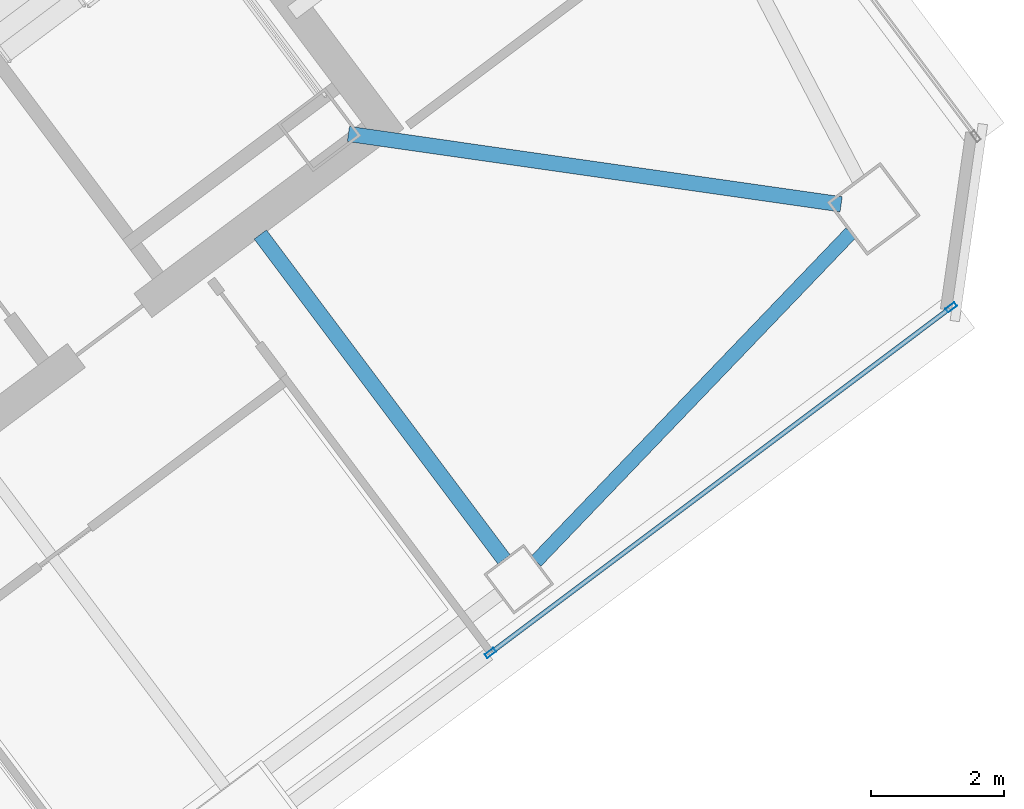
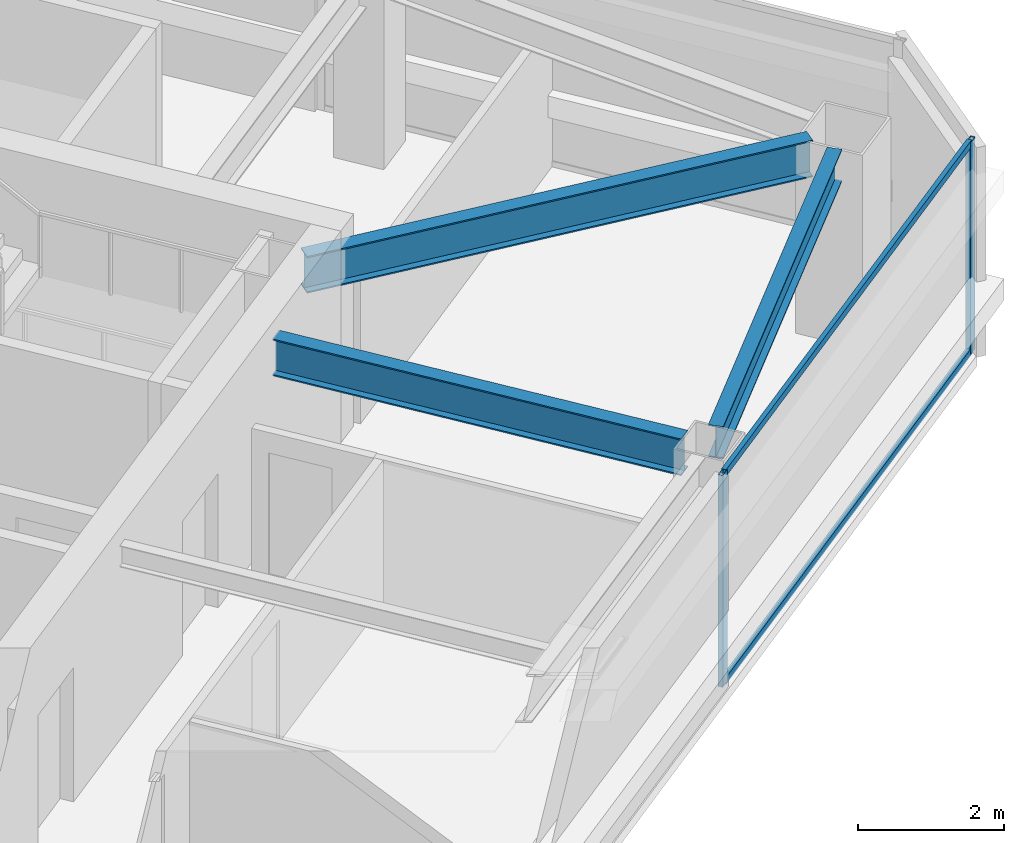
# One storey, part 23 of 39: 4 members, 3 beams, 1 element without a shape of its own.
"""IFC4 building model written with IfcOpenShell, lengths in metres."""

import ifcopenshell
import ifcopenshell.guid

model = None  # the IFC model being written
_history = None  # IfcOwnerHistory: only IFC2X3 demands one
_inside = {}  # id of a spatial element -> (the spatial element, [elements in it])
_under = {}  # id of a project, library or spatial element -> (it, [spatial elements below it])
_declared = {}  # id of a project -> (the project, [libraries it declares])
_typed = {}  # id of a type object -> (the type object, [elements of that type])
_made_of = {}  # id of a material, layer set ... -> (it, [elements and type objects made of it])


def new_model(schema):
    """Start an empty IFC model of exactly this schema.

    Asked for "IFC4X3", IfcOpenShell would pick the latest addendum, in which some entities
    have other attributes; the version numbers below select the first issue.
    IFC2X3 requires an IfcOwnerHistory on every rooted entity: one is made here for all.
    """
    global model, _history
    if schema == "IFC4X3":
        model = ifcopenshell.file(schema_version=(4, 3, 0, 0))
    else:
        model = ifcopenshell.file(schema=schema)
    _inside.clear()
    _under.clear()
    _declared.clear()
    _typed.clear()
    _made_of.clear()
    _history = None
    if model.schema == "IFC2X3":
        org = make("IfcOrganization", Name="unknown")
        user = make(
            "IfcPersonAndOrganization",
            ThePerson=make("IfcPerson", FamilyName="unknown"),
            TheOrganization=org,
        )
        app = make(
            "IfcApplication",
            ApplicationDeveloper=org,
            Version="unknown",
            ApplicationFullName="unknown",
            ApplicationIdentifier="unknown",
        )
        _history = make(
            "IfcOwnerHistory",
            OwningUser=user,
            OwningApplication=app,
            ChangeAction="ADDED",
            CreationDate=0,
        )
    return model


def make(cls, **values):
    """One entity of the class cls with the attributes given. An attribute that is None is left unset."""
    return model.create_entity(
        cls, **{name: value for name, value in values.items() if value is not None}
    )


def rooted(cls, **values):
    """An entity with a GlobalId (a new one), such as an element, a storey or a relation."""
    return make(cls, GlobalId=ifcopenshell.guid.new(), OwnerHistory=_history, **values)


def si_unit(unit_type, name, prefix=None):
    """IfcSIUnit, for example si_unit("LENGTHUNIT", "METRE", prefix="MILLI")."""
    return make("IfcSIUnit", UnitType=unit_type, Prefix=prefix, Name=name)


def assignment(units):
    """IfcUnitAssignment: the units of a project."""
    return None if units is None else make("IfcUnitAssignment", Units=units)


def point(xyz):
    """IfcCartesianPoint."""
    return None if xyz is None else make("IfcCartesianPoint", Coordinates=xyz)


def direction(xyz):
    """IfcDirection."""
    return None if xyz is None else make("IfcDirection", DirectionRatios=xyz)


def frame(location, z_axis=None, x_axis=None):
    """IfcAxis2Placement3D, a coordinate frame: its origin and axes. An axis left out is left unset."""
    return make(
        "IfcAxis2Placement3D",
        Location=point(location),
        Axis=direction(z_axis),
        RefDirection=direction(x_axis),
    )


def frame_2d(location, x_axis=None):
    """IfcAxis2Placement2D, a coordinate frame in the plane: its origin and x axis."""
    return make(
        "IfcAxis2Placement2D", Location=point(location), RefDirection=direction(x_axis)
    )


def origin():
    """The frame at (0, 0, 0) with its axes left unset."""
    return frame((0.0, 0.0, 0.0))


def origin_2d():
    """The frame at (0, 0) in the plane with its x axis left unset."""
    return frame_2d((0.0, 0.0))


def place(relative_to, where):
    """IfcLocalPlacement: puts the frame where relative to a parent placement (None: the world)."""
    return make(
        "IfcLocalPlacement", PlacementRelTo=relative_to, RelativePlacement=where
    )


def context(
    kind, dimensions, precision=None, world=None, true_north=None, identifier=None
):
    """IfcGeometricRepresentationContext, for example the 3D "Model" context."""
    return make(
        "IfcGeometricRepresentationContext",
        ContextIdentifier=identifier,
        ContextType=kind,
        CoordinateSpaceDimension=dimensions,
        Precision=precision,
        WorldCoordinateSystem=world,
        TrueNorth=true_north,
    )


def subcontext(parent, identifier, kind, view, scale=None):
    """IfcGeometricRepresentationSubContext, for example "Body" below "Model"."""
    return make(
        "IfcGeometricRepresentationSubContext",
        ContextIdentifier=identifier,
        ContextType=kind,
        ParentContext=parent,
        TargetScale=scale,
        TargetView=view,
    )


def project(units=None, contexts=None):
    """IfcProject with its units and contexts."""
    return rooted(
        "IfcProject",
        Name="project",
        RepresentationContexts=contexts,
        UnitsInContext=assignment(units),
    )


def spatial(cls, under=None, at=None, **own):
    """A site, building, storey or space (cls), placed at a placement, below another one or the project."""
    s = rooted(cls, ObjectPlacement=at, **own)
    if under is not None:
        _under.setdefault(under.id(), (under, []))[1].append(s)
    return s


def profile(cls, at=None, kind="AREA", **sizes):
    """A parametric profile (cls). Its sizes go by their IFC names, for example OverallWidth=200.0."""
    return make(cls, ProfileType=kind, Position=at, **sizes)


def hollow_rectangle(**sizes):
    """IfcRectangleHollowProfileDef."""
    return profile("IfcRectangleHollowProfileDef", **sizes)


def i_section(**sizes):
    """IfcIShapeProfileDef."""
    return profile("IfcIShapeProfileDef", **sizes)


def extrude(swept, where, along, depth):
    """IfcExtrudedAreaSolid: the profile swept, set in the frame where, extruded along a direction by depth."""
    return make(
        "IfcExtrudedAreaSolid",
        SweptArea=swept,
        Position=where,
        ExtrudedDirection=direction(along),
        Depth=depth,
    )


def shape(context_of_items, identifier, shape_type, items):
    """IfcShapeRepresentation: the items that make up one representation, for example the "Body"."""
    return make(
        "IfcShapeRepresentation",
        ContextOfItems=context_of_items,
        RepresentationIdentifier=identifier,
        RepresentationType=shape_type,
        Items=items,
    )


def material(Name=None, Category=None):
    """IfcMaterial."""
    return make("IfcMaterial", Name=Name, Category=Category)


def material_profile(
    of_material, cross_section, Name=None, Category=None, Priority=None
):
    """IfcMaterialProfile: a cross section and its material."""
    return make(
        "IfcMaterialProfile",
        Name=Name,
        Material=of_material,
        Profile=cross_section,
        Priority=Priority,
        Category=Category,
    )


def profile_set(profiles, Name=None, composite=None):
    """IfcMaterialProfileSet."""
    return make(
        "IfcMaterialProfileSet",
        Name=Name,
        MaterialProfiles=profiles,
        CompositeProfile=composite,
    )


def made_of(thing, what):
    """Note that an element or type object is made of a material, layer set ...; save() writes the relation."""
    if what is not None:
        _made_of.setdefault(what.id(), (what, []))[1].append(thing)
    return thing


def type_object(cls, material=None, **own):
    """A type object (cls), such as IfcWallType, which elements share."""
    return made_of(rooted(cls, **own), material)


def element(
    cls,
    number,
    at=None,
    inside=None,
    cuts=None,
    type_object=None,
    material=None,
    context=None,
    identifier="Body",
    shape_type=None,
    held_by="IfcProductDefinitionShape",
    body=None,
    shapes=None,
    **own,
):
    """One element of the class cls, such as IfcWall. Its Tag is "e" and its number.

    at: its placement. inside: the storey or other place that contains it. cuts: it is an
    opening in that element (IfcRelVoidsElement). A single representation is given by context,
    identifier, shape_type and body (its items); several are given by shapes. held_by: the class
    of the entity that holds the representations. save() writes the other relations.
    """
    e = rooted(cls, Tag="e%d" % number, ObjectPlacement=at, **own)
    if body is not None:
        shapes = [shape(context, identifier, shape_type, body)]
    if shapes is not None:
        e.Representation = make(held_by, Representations=shapes)
    if inside is not None:
        _inside.setdefault(inside.id(), (inside, []))[1].append(e)
    if cuts is not None:
        rooted(
            "IfcRelVoidsElement", RelatingBuildingElement=cuts, RelatedOpeningElement=e
        )
    if type_object is not None:
        _typed.setdefault(type_object.id(), (type_object, []))[1].append(e)
    return made_of(e, material)


def aggregate(whole, parts):
    """IfcRelAggregates: a whole, such as a stair, and the parts it consists of."""
    return rooted("IfcRelAggregates", RelatingObject=whole, RelatedObjects=parts)


def save(model, path):
    """Write the relations noted so far, then the file.

    IfcRelAggregates (storeys below a building ...), IfcRelContainedInSpatialStructure (elements
    in a storey), IfcRelDefinesByType, IfcRelAssociatesMaterial and IfcRelDeclares: one each for
    every whole, place, type object, material and project.
    """
    for whole, parts in _under.values():
        aggregate(whole, parts)
    for where, things in _inside.values():
        rooted(
            "IfcRelContainedInSpatialStructure",
            RelatedElements=things,
            RelatingStructure=where,
        )
    for kind, things in _typed.values():
        rooted("IfcRelDefinesByType", RelatedObjects=things, RelatingType=kind)
    for what, things in _made_of.values():
        rooted("IfcRelAssociatesMaterial", RelatedObjects=things, RelatingMaterial=what)
    for by, libraries in _declared.values():
        rooted("IfcRelDeclares", RelatingContext=by, RelatedDefinitions=libraries)
    model.write(path)


model = new_model("IFC4")

# Units and contexts
model_context = context("Model", 3, precision=1e-05, world=origin(), true_north=direction((0.0, 1.0)))
body_context = subcontext(model_context, "Body", "Model", "MODEL_VIEW")
ifc_project = project(units=[si_unit("LENGTHUNIT", "METRE"), si_unit("AREAUNIT", "SQUARE_METRE"), si_unit("VOLUMEUNIT", "CUBIC_METRE"), si_unit("PLANEANGLEUNIT", "RADIAN"), si_unit("MASSUNIT", "GRAM", prefix="KILO")], contexts=[model_context])

# Site, building, storey
site_placement = place(None, origin())
site = spatial("IfcSite", under=ifc_project, at=site_placement, CompositionType="ELEMENT")
building_placement = place(site_placement, origin())
building = spatial("IfcBuilding", under=site, at=building_placement, Name="Tashvorn Skyway Center", CompositionType="ELEMENT")
storey_placement = place(building_placement, frame((0.0, 0.0, 243.25)))
storey = spatial("IfcBuildingStorey", under=building, at=storey_placement, Name="L66", CompositionType="ELEMENT", Elevation=243.25)

# Beams
ifc_material_1 = material(Name="Steel ASTM A992 Grade 50", Category="steel")
ifc_material_profile_1 = material_profile(ifc_material_1, i_section(OverallWidth=0.22998046875, OverallDepth=0.616943359375, WebThickness=0.01318359375, FlangeThickness=0.022216796875, at=origin_2d()), Name="W24X94")
ifc_profile_set_1 = profile_set([ifc_material_profile_1], Name="Steel ASTM A992 Grade 50")
beam_type_1 = type_object("IfcBeamType", Name="BM-BEAM-W24X94", PredefinedType="BEAM", material=ifc_profile_set_1)
beam_1_placement = place(storey_placement, frame((131.7099609375, 29.469970703125, 2.94140625), z_axis=(-0.989948187102, 0.141430501853, 0.0), x_axis=(-0.141430501853, -0.989948187102, 0.0)))
element("IfcBeam", 1, at=beam_1_placement, inside=storey, type_object=beam_type_1, Name="Tower 2 L66 Primary Floor Girder MC-SE", PredefinedType="BEAM", context=body_context, shape_type="SweptSolid", body=[
    extrude(i_section(OverallWidth=0.22998046875, OverallDepth=0.616943359375, WebThickness=0.01318359375, FlangeThickness=0.022216796875, at=origin_2d()), origin(), (0.0, 0.0, 1.0), 7.474609375),
])
beam_2_placement = place(storey_placement, frame((126.64794921875, 24.135986328125, 2.94140625), z_axis=(-0.599980788915, 0.800014407953, 0.0), x_axis=(-0.800014407953, -0.599980788915, 0.0)))
element("IfcBeam", 2, at=beam_2_placement, inside=storey, type_object=beam_type_1, Name="Tower 2 L66 Primary Floor Girder FC-S2", PredefinedType="BEAM", context=body_context, shape_type="SweptSolid", body=[
    extrude(i_section(OverallWidth=0.22998046875, OverallDepth=0.616943359375, WebThickness=0.01318359375, FlangeThickness=0.022216796875, at=origin_2d()), origin(), (0.0, 0.0, 1.0), 6.10009765625),
])
ifc_material_profile_2 = material_profile(ifc_material_1, i_section(OverallWidth=0.2109375, OverallDepth=0.5390625, WebThickness=0.01171875, FlangeThickness=0.018798828125, at=origin_2d()), Name="W21X73")
ifc_profile_set_2 = profile_set([ifc_material_profile_2], Name="Steel ASTM A992 Grade 50")
beam_type_2 = type_object("IfcBeamType", Name="BM-SPANDREL-W21X73", PredefinedType="SPANDREL", material=ifc_profile_set_2)
beam_3_placement = place(storey_placement, frame((127.1259765625, 24.107177734375, 2.98046875), z_axis=(0.69202323926, 0.72187522213, 0.0), x_axis=(-0.72187522213, 0.69202323926, 0.0)))
element("IfcBeam", 3, at=beam_3_placement, inside=storey, type_object=beam_type_2, Name="Tower 2 L66 Spandrel Beam 03", PredefinedType="SPANDREL", context=body_context, shape_type="SweptSolid", body=[
    extrude(i_section(OverallWidth=0.2109375, OverallDepth=0.5390625, WebThickness=0.01171875, FlangeThickness=0.018798828125, at=origin_2d()), origin(), (0.0, 0.0, 1.0), 6.837158203125),
])

# Curtain wall, members
ifc_material_2 = material(Name="Thermally broken bronze-anodized aluminium 6063-T6", Category="aluminium")
curtain_wall_type = type_object("IfcCurtainWallType", Name="CW-CW-Z5", PredefinedType="NOTDEFINED", material=ifc_material_2)
curtain_wall_placement = place(storey_placement, origin())
curtain_wall = element("IfcCurtainWall", 4, at=curtain_wall_placement, inside=storey, type_object=curtain_wall_type, Name="Tower 2 L66 South Unitised Curtain Wall Glazing Group 1", PredefinedType="NOTDEFINED")
ifc_material_profile_3 = material_profile(ifc_material_2, hollow_rectangle(XDim=0.070068359375, YDim=0.1650390625, WallThickness=0.00390625, at=origin_2d()), Name="ALU-MULL-70x165")
ifc_profile_set_3 = profile_set([ifc_material_profile_3], Name="Thermally broken bronze-anodized aluminium 6063-T6")
member_type_1 = type_object("IfcMemberType", Name="CWM-CW-Z5", PredefinedType="MULLION", material=ifc_profile_set_3)
member_1_placement = place(storey_placement, frame((133.364013671875, 27.923095703125, 0.0), z_axis=(0.0, 0.0, 1.0), x_axis=(0.600000000002, -0.799999999998, 0.0)))
member_1 = element("IfcMember", 5, at=member_1_placement, type_object=member_type_1, Name="CW-Z5 mullion 1", PredefinedType="MULLION", context=body_context, shape_type="SweptSolid", body=[
    extrude(hollow_rectangle(XDim=0.070068359375, YDim=0.1650390625, WallThickness=0.00390625, at=origin_2d()), origin(), (0.0, 0.0, 1.0), 3.550048828125),
])
member_2_placement = place(storey_placement, frame((126.444091796875, 22.73291015625, 0.0), z_axis=(0.0, 0.0, 1.0), x_axis=(0.600000000002, -0.799999999998, 0.0)))
member_2 = element("IfcMember", 6, at=member_2_placement, type_object=member_type_1, Name="CW-Z5 mullion 2", PredefinedType="MULLION", context=body_context, shape_type="SweptSolid", body=[
    extrude(hollow_rectangle(XDim=0.070068359375, YDim=0.1650390625, WallThickness=0.00390625, at=origin_2d()), origin(), (0.0, 0.0, 1.0), 3.550048828125),
])
ifc_material_profile_4 = material_profile(ifc_material_2, hollow_rectangle(XDim=0.070068359375, YDim=0.114990234375, WallThickness=0.00390625, at=origin_2d()), Name="ALU-TRAN-70x115")
ifc_profile_set_4 = profile_set([ifc_material_profile_4], Name="Thermally broken bronze-anodized aluminium 6063-T6")
member_type_2 = type_object("IfcMemberType", Name="CWT-CW-Z5", PredefinedType="USERDEFINED", material=ifc_profile_set_4)
member_3_placement = place(storey_placement, frame((133.3359375, 27.902099609375, 0.034912109375), z_axis=(-0.799989756372, -0.600013657927, 0.0), x_axis=(0.600013657927, -0.799989756372, 0.0)))
member_3 = element("IfcMember", 7, at=member_3_placement, type_object=member_type_2, Name="CW-Z5 transom 1.1", ObjectType="TRANSOM", PredefinedType="USERDEFINED", context=body_context, shape_type="SweptSolid", body=[
    extrude(hollow_rectangle(XDim=0.070068359375, YDim=0.114990234375, WallThickness=0.00390625, at=origin_2d()), origin(), (0.0, 0.0, 1.0), 8.580078125),
])
member_4_placement = place(storey_placement, frame((133.3359375, 27.902099609375, 3.514892578125), z_axis=(-0.799989756372, -0.600013657927, 0.0), x_axis=(0.600013657927, -0.799989756372, 0.0)))
member_4 = element("IfcMember", 8, at=member_4_placement, type_object=member_type_2, Name="CW-Z5 transom 1.2", ObjectType="TRANSOM", PredefinedType="USERDEFINED", context=body_context, shape_type="SweptSolid", body=[
    extrude(hollow_rectangle(XDim=0.070068359375, YDim=0.114990234375, WallThickness=0.00390625, at=origin_2d()), origin(), (0.0, 0.0, 1.0), 8.580078125),
])
aggregate(curtain_wall, [member_1, member_2, member_3, member_4])

save(model, "model.ifc")
